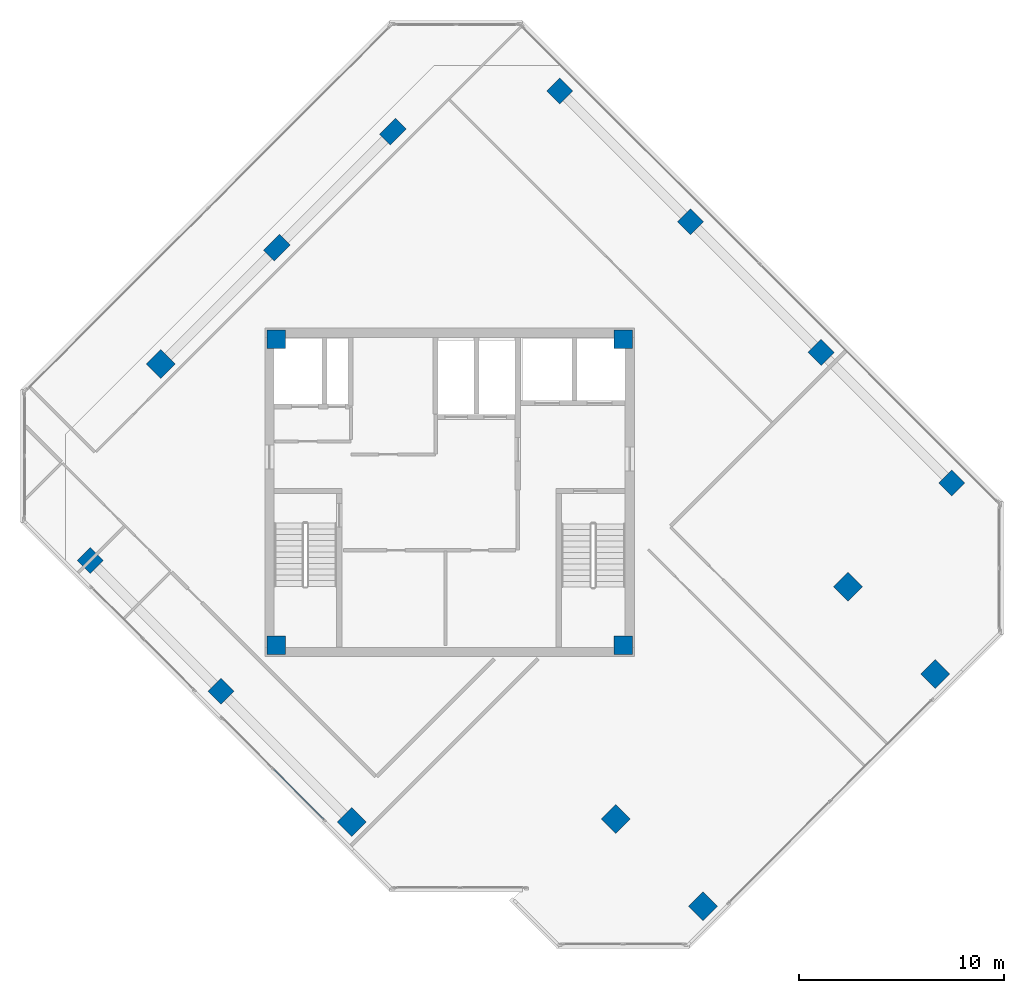
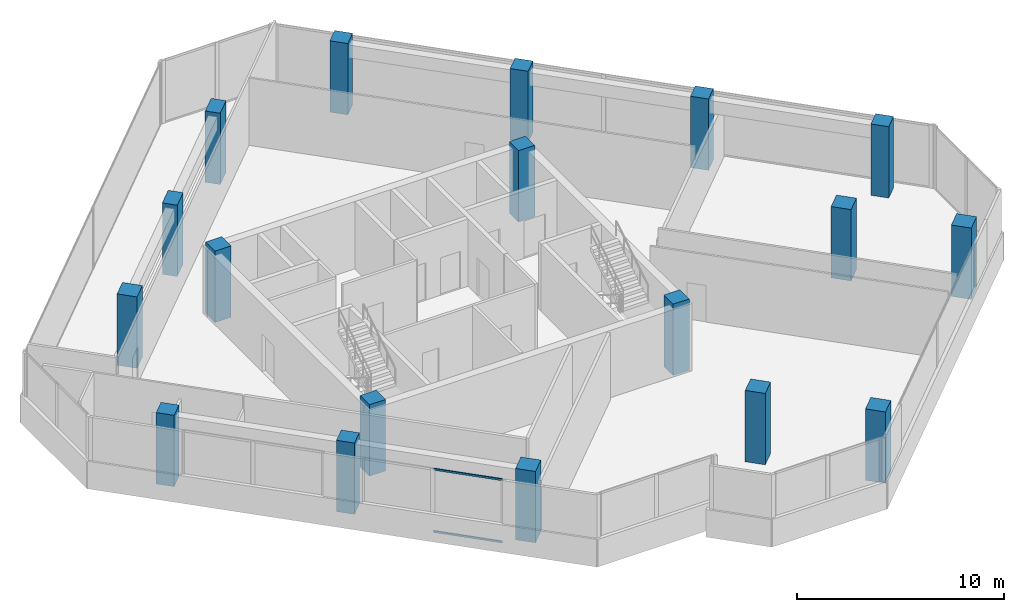
# One storey, part 1 of 18: 18 columns, 2 members, 1 element without a shape of its own.
"""IFC4 building model written with IfcOpenShell, lengths in metres."""

from ifc_helpers import new_model, si_unit, direction, frame, origin, origin_2d, place, context, subcontext, project, spatial, rectangle, hollow_rectangle, extrude, source, transform, mapped, material, material_profile, profile_set, type_object, element, aggregate, save


model = new_model("IFC4")

# Units and contexts
model_context = context("Model", 3, precision=1e-05, world=origin(), true_north=direction((0.0, 1.0)))
body_context = subcontext(model_context, "Body", "Model", "MODEL_VIEW")
ifc_project = project(units=[si_unit("LENGTHUNIT", "METRE"), si_unit("AREAUNIT", "SQUARE_METRE"), si_unit("VOLUMEUNIT", "CUBIC_METRE"), si_unit("PLANEANGLEUNIT", "RADIAN"), si_unit("MASSUNIT", "GRAM", prefix="KILO")], contexts=[model_context])

# Site, building, storey
site_placement = place(None, origin())
site = spatial("IfcSite", under=ifc_project, at=site_placement, CompositionType="ELEMENT")
building_placement = place(site_placement, origin())
building = spatial("IfcBuilding", under=site, at=building_placement, Name="Torre Montelarca", CompositionType="ELEMENT")
storey_placement = place(building_placement, frame((0.0, 0.0, 245.800048828125)))
storey = spatial("IfcBuildingStorey", under=building, at=storey_placement, Name="L55", CompositionType="ELEMENT", Elevation=245.800048828125)

# Columns
ifc_material_1 = material(Name="Concrete C55/67", Category="concrete")
ifc_material_profile_1 = material_profile(ifc_material_1, rectangle(XDim=1.0, YDim=1.0, at=origin_2d()), Name="RC1000X1000", Category="concrete")
ifc_profile_set_1 = profile_set([ifc_material_profile_1], Name="Concrete C55/67")
column_type_1 = type_object("IfcColumnType", Name="COL-RC1000-EXT", PredefinedType="COLUMN", material=ifc_profile_set_1)
shared_shape_1 = source(origin(), body_context, "Body", "SweptSolid", [
    extrude(rectangle(XDim=1.0, YDim=1.0, at=origin_2d()), origin(), (0.0, 0.0, 1.0), 4.198486328125),
])
for number, where, z_axis, x_axis, name in (
    (1, (13.226806640625, 15.94873046875, 0.000732421875), (0.0, 0.0, 1.0), (-0.707106781187, 0.707106781187, 0.0), "L55 Column 4/CS"),
    (2, (30.3388671875, 11.847412109375, 0.000732421875), (0.0, 0.0, 1.0), (-0.707106781187, 0.707106781187, 0.0), "L55 Column 6/D"),
    (3, (41.652587890625, 23.1611328125, 0.000732421875), (0.0, 0.0, 1.0), (-0.707106781187, 0.707106781187, 0.0), "L55 Column 6/F"),
    (4, (3.928466796875, 38.2578125, 0.000732421875), (0.0, 0.0, 1.0), (-0.707106781187, 0.707106781187, 0.0), "L55 Column 1W/D"),
):
    element("IfcColumn", number, at=place(storey_placement, frame(where, z_axis=z_axis, x_axis=x_axis)), inside=storey, type_object=column_type_1, Name=name, PredefinedType="COLUMN", context=body_context, shape_type="MappedRepresentation", body=[
        mapped(shared_shape_1, transform((0.0, 0.0, 0.0), scale=1.0)),
    ])
ifc_material_profile_2 = material_profile(ifc_material_1, rectangle(XDim=0.89990234375, YDim=0.89990234375, at=origin_2d()), Name="RC900X900", Category="concrete")
ifc_profile_set_2 = profile_set([ifc_material_profile_2], Name="Concrete C55/67")
column_type_2 = type_object("IfcColumnType", Name="COL-RC900", PredefinedType="COLUMN", material=ifc_profile_set_2)
shared_shape_2 = source(origin(), body_context, "Body", "SweptSolid", [
    extrude(rectangle(XDim=0.89990234375, YDim=0.89990234375, at=origin_2d()), origin(), (0.0, 0.0, 1.0), 4.198486328125),
])
for number, where, z_axis, x_axis, name in (
    (5, (9.550048828125, 24.550048828125, 0.000732421875), (0.0, 0.0, 1.0), (1.0, 0.0, 0.0), "L55 Plumb Core Corner Column 2D"),
    (6, (26.449951171875, 24.550048828125, 0.000732421875), (0.0, 0.0, 1.0), (1.0, 0.0, 0.0), "L55 Plumb Core Corner Column 4D"),
    (7, (9.550048828125, 39.449951171875, 0.000732421875), (0.0, 0.0, 1.0), (1.0, 0.0, 0.0), "L55 Plumb Core Corner Column 2F"),
    (8, (26.449951171875, 39.449951171875, 0.000732421875), (0.0, 0.0, 1.0), (1.0, 0.0, 0.0), "L55 Plumb Core Corner Column 4F"),
):
    element("IfcColumn", number, at=place(storey_placement, frame(where, z_axis=z_axis, x_axis=x_axis)), inside=storey, type_object=column_type_2, Name=name, PredefinedType="COLUMN", context=body_context, shape_type="MappedRepresentation", body=[
        mapped(shared_shape_2, transform((0.0, 0.0, 0.0), scale=1.0)),
    ])
ifc_material_2 = material(Name="Concrete C40/50", Category="concrete")
ifc_material_profile_3 = material_profile(ifc_material_2, rectangle(XDim=0.75, YDim=1.10009765625, at=origin_2d()), Name="RC1100X750", Category="concrete")
ifc_profile_set_3 = profile_set([ifc_material_profile_3], Name="Concrete C40/50")
column_type_3 = type_object("IfcColumnType", Name="COL-PIL1100-EXT", PredefinedType="PILASTER", material=ifc_profile_set_3)
shared_shape_3 = source(origin(), body_context, "Body", "SweptSolid", [
    extrude(rectangle(XDim=0.75, YDim=1.10009765625, at=origin_2d()), origin(), (0.0, 0.0, 1.0), 4.198486328125),
])
for number, where, z_axis, x_axis, name in (
    (9, (9.585205078125, 43.914794921875, 0.000732421875), (0.0, 0.0, 1.0), (-0.707106781187, 0.707106781187, 0.0), "L55 Column 1W/E"),
    (10, (15.2421875, 49.571533203125, 0.000732421875), (0.0, 0.0, 1.0), (-0.707106781187, 0.707106781187, 0.0), "L55 Column 1W/F"),
):
    element("IfcColumn", number, at=place(storey_placement, frame(where, z_axis=z_axis, x_axis=x_axis)), inside=storey, type_object=column_type_3, Name=name, PredefinedType="PILASTER", context=body_context, shape_type="MappedRepresentation", body=[
        mapped(shared_shape_3, transform((0.0, 0.0, 0.0), scale=1.0)),
    ])
ifc_material_profile_4 = material_profile(ifc_material_1, rectangle(XDim=0.89990234375, YDim=0.89990234375, at=origin_2d()), Name="RC900X900", Category="concrete")
ifc_profile_set_4 = profile_set([ifc_material_profile_4], Name="Concrete C55/67")
column_type_4 = type_object("IfcColumnType", Name="COL-RC900-EXT", PredefinedType="COLUMN", material=ifc_profile_set_4)
shared_shape_4 = source(origin(), body_context, "Body", "SweptSolid", [
    extrude(rectangle(XDim=0.89990234375, YDim=0.89990234375, at=origin_2d()), origin(), (0.0, 0.0, 1.0), 4.198486328125),
])
for number, where, z_axis, x_axis, name in (
    (11, (0.498779296875, 28.676513671875, 0.000732421875), (0.0, 0.0, 1.0), (-0.707106781187, 0.707106781187, 0.0), "L55 Column 2/CS"),
    (12, (23.373779296875, 51.551513671875, 0.000732421875), (0.0, 0.0, 1.0), (-0.707106781187, 0.707106781187, 0.0), "L55 Column 2/GN"),
    (13, (6.86279296875, 22.3125, 0.000732421875), (0.0, 0.0, 1.0), (-0.707106781187, 0.707106781187, 0.0), "L55 Column 3/CS"),
    (14, (29.73779296875, 45.1875, 0.000732421875), (0.0, 0.0, 1.0), (-0.707106781187, 0.707106781187, 0.0), "L55 Column 3/GN"),
    (15, (36.101806640625, 38.823486328125, 0.000732421875), (0.0, 0.0, 1.0), (-0.707106781187, 0.707106781187, 0.0), "L55 Column 4/GN"),
    (16, (42.4658203125, 32.459716796875, 0.000732421875), (0.0, 0.0, 1.0), (-0.707106781187, 0.707106781187, 0.0), "L55 Column 5/GN"),
):
    element("IfcColumn", number, at=place(storey_placement, frame(where, z_axis=z_axis, x_axis=x_axis)), inside=storey, type_object=column_type_4, Name=name, PredefinedType="COLUMN", context=body_context, shape_type="MappedRepresentation", body=[
        mapped(shared_shape_4, transform((0.0, 0.0, 0.0), scale=1.0)),
    ])
ifc_material_profile_5 = material_profile(ifc_material_1, rectangle(XDim=1.0, YDim=1.0, at=origin_2d()), Name="RC1000X1000", Category="concrete")
ifc_profile_set_5 = profile_set([ifc_material_profile_5], Name="Concrete C55/67")
column_type_5 = type_object("IfcColumnType", Name="COL-RC1000", PredefinedType="COLUMN", material=ifc_profile_set_5)
shared_shape_5 = source(origin(), body_context, "Body", "SweptSolid", [
    extrude(rectangle(XDim=1.0, YDim=1.0, at=origin_2d()), origin(), (0.0, 0.0, 1.0), 4.198486328125),
])
for number, where, z_axis, x_axis, name in (
    (17, (26.09619140625, 16.090087890625, 0.000732421875), (0.0, 0.0, 1.0), (-0.707106781187, 0.707106781187, 0.0), "L55 Column 5/D"),
    (18, (37.409912109375, 27.40380859375, 0.000732421875), (0.0, 0.0, 1.0), (-0.707106781187, 0.707106781187, 0.0), "L55 Column 5/F"),
):
    element("IfcColumn", number, at=place(storey_placement, frame(where, z_axis=z_axis, x_axis=x_axis)), inside=storey, type_object=column_type_5, Name=name, PredefinedType="COLUMN", context=body_context, shape_type="MappedRepresentation", body=[
        mapped(shared_shape_5, transform((0.0, 0.0, 0.0), scale=1.0)),
    ])

# Curtain wall, members
ifc_material_3 = material(Name="Insulated low-E laminated glass", Category="glass")
curtain_wall_type = type_object("IfcCurtainWallType", Name="CW-SYS-Z3", PredefinedType="USERDEFINED", material=ifc_material_3)
curtain_wall_placement = place(storey_placement, origin())
curtain_wall = element("IfcCurtainWall", 19, at=curtain_wall_placement, inside=storey, type_object=curtain_wall_type, Name="L55 Curtain Wall Run CW-T3-L55-E01-B2", ObjectType="UNITISED GLAZING", PredefinedType="USERDEFINED")
ifc_material_4 = material(Name="Anodised aluminium AA 6063-T6", Category="aluminium")
ifc_material_profile_6 = material_profile(ifc_material_4, hollow_rectangle(XDim=0.054931640625, YDim=0.1201171875, WallThickness=0.00341796875, InnerFilletRadius=0.00341796875, OuterFilletRadius=0.007080078125, at=origin_2d()), Name="ALU55X120X3.5", Category="aluminium")
ifc_profile_set_6 = profile_set([ifc_material_profile_6], Name="Anodised aluminium AA 6063-T6")
member_type = type_object("IfcMemberType", Name="CWT-ALU120", PredefinedType="USERDEFINED", material=ifc_profile_set_6)
shared_shape_6 = source(origin(), body_context, "Body", "SweptSolid", [
    extrude(hollow_rectangle(XDim=0.054931640625, YDim=0.1201171875, WallThickness=0.00341796875, InnerFilletRadius=0.00341796875, OuterFilletRadius=0.007080078125, at=origin_2d()), origin(), (0.0, 0.0, 1.0), 3.4326171875),
])
member_1_placement = place(storey_placement, frame((9.4384765625, 18.506591796875, 0.02734375), z_axis=(0.707106781187, -0.707106781187, 0.0), x_axis=(0.707106781187, 0.707106781187, 0.0)))
member_1 = element("IfcMember", 20, at=member_1_placement, type_object=member_type, Name="CW transom 2.1", ObjectType="TRANSOM", PredefinedType="USERDEFINED", context=body_context, shape_type="MappedRepresentation", body=[
    mapped(shared_shape_6, transform((0.0, 0.0, 0.0), scale=1.0)),
])
member_2_placement = place(storey_placement, frame((9.4384765625, 18.506591796875, 3.6923828125), z_axis=(0.707106781187, -0.707106781187, 0.0), x_axis=(0.707106781187, 0.707106781187, 0.0)))
member_2 = element("IfcMember", 21, at=member_2_placement, type_object=member_type, Name="CW transom 2.2", ObjectType="TRANSOM", PredefinedType="USERDEFINED", context=body_context, shape_type="MappedRepresentation", body=[
    mapped(shared_shape_6, transform((0.0, 0.0, 0.0), scale=1.0)),
])
aggregate(curtain_wall, [member_1, member_2])

save(model, "model.ifc")
